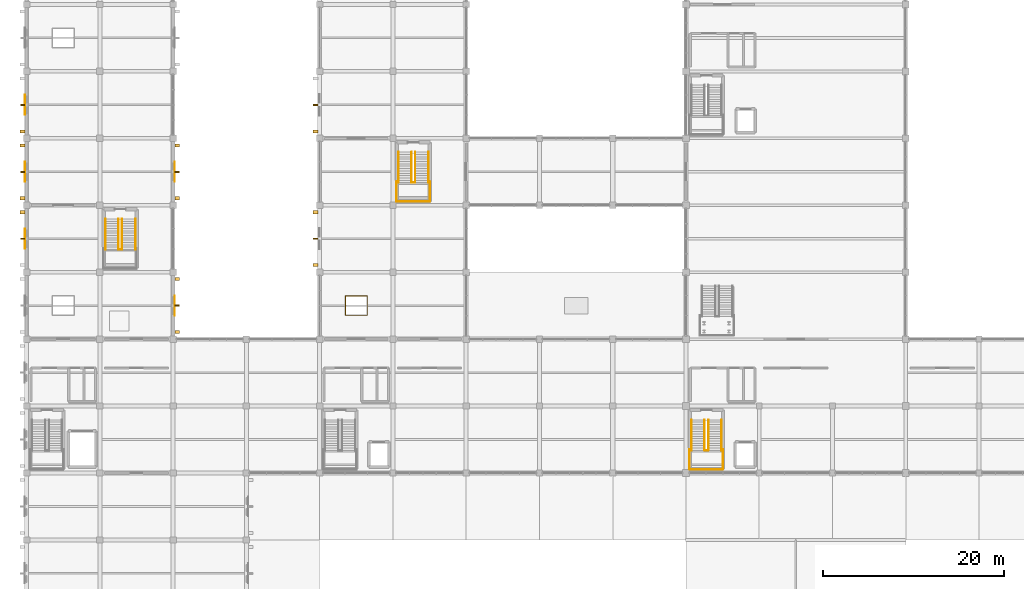
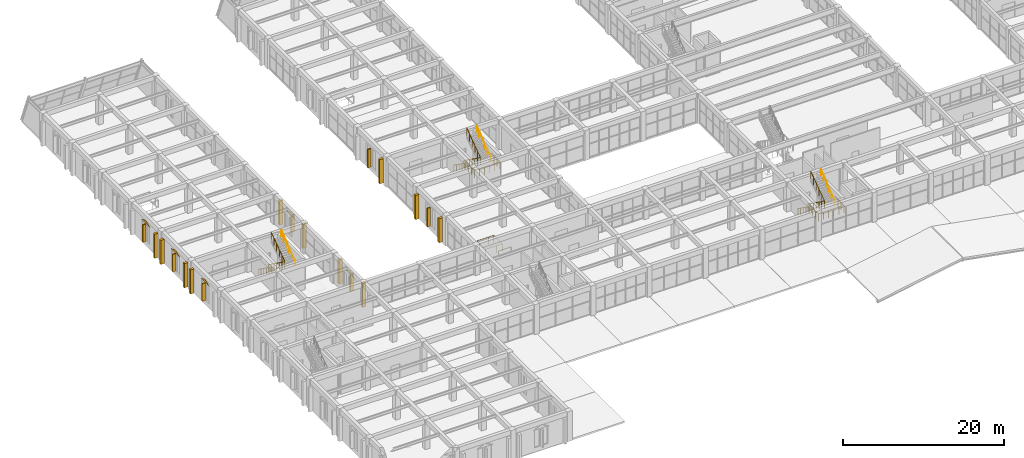
# One storey, part 156 of 161: 18 shading devices, 12 railings, 5 coverings.
"""IFC4 building model written with IfcOpenShell, lengths in metres."""

from ifc_helpers import new_model, si_unit, direction, frame, origin, origin_2d, place, context, subcontext, project, spatial, polyline, rectangle, circle, outline, extrude, material, layer, layer_set, type_object, element, save


model = new_model("IFC4")

# Units and contexts
model_context = context("Model", 3, precision=1e-05, world=origin(), true_north=direction((0.0, 1.0)))
body_context = subcontext(model_context, "Body", "Model", "MODEL_VIEW")
ifc_project = project(units=[si_unit("LENGTHUNIT", "METRE"), si_unit("AREAUNIT", "SQUARE_METRE"), si_unit("VOLUMEUNIT", "CUBIC_METRE"), si_unit("PLANEANGLEUNIT", "RADIAN"), si_unit("MASSUNIT", "GRAM", prefix="KILO")], contexts=[model_context])

# Site, building, storey
site_placement = place(None, origin())
site = spatial("IfcSite", under=ifc_project, at=site_placement, CompositionType="ELEMENT")
building_placement = place(site_placement, origin())
building = spatial("IfcBuilding", under=site, at=building_placement, Name="Cimatlan Art Gallery", CompositionType="ELEMENT")
storey_placement = place(building_placement, frame((0.0, 0.0, 5.39990234375)))
storey = spatial("IfcBuildingStorey", under=building, at=storey_placement, Name="L01", CompositionType="ELEMENT", Elevation=5.39990234375)

# Coverings
ifc_material_1 = material(Name="Queretaro cantera limestone ashlar hood-mould", Category="masonry")
ifc_layer = layer(ifc_material_1, 0.0419921875)
ifc_layer_set = layer_set([ifc_layer], Name="Queretaro cantera limestone ashlar hood-mould")
covering_type = type_object("IfcCoveringType", Name="COV-CLAD-CANTERA-42", PredefinedType="CLADDING", material=ifc_layer_set)
covering_1_placement = place(storey_placement, frame((1.839599609375, 48.699951171875, 3.330078125), z_axis=(1.0, 0.0, 0.0), x_axis=(0.0, 1.0, 0.0)))
element("IfcCovering", 1, at=covering_1_placement, inside=storey, type_object=covering_type, Name="CLD-022", PredefinedType="CLADDING", context=body_context, shape_type="SweptSolid", body=[
    extrude(outline(polyline([(0.0, 0.0), (2.199951171875, 0.0), (1.10009765625, 0.52001953125), (0.0, 0.0)])), origin(), (0.0, 0.0, -1.0), 0.0419921875),
])
covering_2_placement = place(storey_placement, frame((1.839599609375, 56.10009765625, 3.330078125), z_axis=(1.0, 0.0, 0.0), x_axis=(0.0, 1.0, 0.0)))
element("IfcCovering", 2, at=covering_2_placement, inside=storey, type_object=covering_type, Name="CLD-023", PredefinedType="CLADDING", context=body_context, shape_type="SweptSolid", body=[
    extrude(outline(polyline([(0.0, 0.0), (2.199951171875, 0.0), (1.099853515625, 0.52001953125), (0.0, 0.0)])), origin(), (0.0, 0.0, -1.0), 0.0419921875),
])
for number, where, z_axis, x_axis, name in (
    (3, (1.839599609375, 63.5, 3.330078125), (1.0, 0.0, 0.0), (0.0, 1.0, 0.0), "CLD-024"),
    (4, (18.360595703125, 43.5, 3.330078125), (-1.0, 0.0, 0.0), (0.0, -1.0, 0.0), "CLD-029"),
    (5, (18.360595703125, 58.300048828125, 3.330078125), (-1.0, 0.0, 0.0), (0.0, -1.0, 0.0), "CLD-030"),
):
    element("IfcCovering", number, at=place(storey_placement, frame(where, z_axis=z_axis, x_axis=x_axis)), inside=storey, type_object=covering_type, Name=name, PredefinedType="CLADDING", context=body_context, shape_type="SweptSolid", body=[
        extrude(outline(polyline([(0.0, 0.0), (2.199951171875, 0.0), (1.10009765625, 0.52001953125), (0.0, 0.0)])), origin(), (0.0, 0.0, -1.0), 0.0419921875),
    ])

# Railings
ifc_material_2 = material(Name="Painted steel and bronze interior balustrade", Category="steel")
railing_type_1 = type_object("IfcRailingType", Name="RL-BAL-INT-1120", PredefinedType="BALUSTRADE", material=ifc_material_2)
railing_1_placement = place(storey_placement, frame((75.31005859375, 26.510009765625, 2.400146484375)))
element("IfcRailing", 6, at=railing_1_placement, inside=storey, type_object=railing_type_1, Name="STR-C3-L01-LGRD", PredefinedType="BALUSTRADE", context=body_context, shape_type="SweptSolid", body=[
    extrude(circle(Radius=0.02392578125, at=origin_2d()), frame((0.0, 0.0, 1.09619140625), z_axis=(0.0, -1.0, 0.0), x_axis=(1.0, 0.0, 0.0)), (0.0, 0.0, 1.0), 2.199951171875),
    extrude(circle(Radius=0.02392578125, at=origin_2d()), frame((0.0, -2.199951171875, 1.09619140625), z_axis=(1.0, 0.0, 0.0), x_axis=(0.0, 1.0, 0.0)), (0.0, 0.0, 1.0), 3.669921875),
    extrude(circle(Radius=0.02392578125, at=origin_2d()), frame((3.669921875, -2.199951171875, 1.09619140625), z_axis=(0.0, 1.0, 0.0), x_axis=(-1.0, 0.0, 0.0)), (0.0, 0.0, 1.0), 2.199951171875),
    extrude(circle(Radius=0.02001953125, at=origin_2d()), origin(), (0.0, 0.0, 1.0), 1.072021484375),
    extrude(circle(Radius=0.02001953125, at=origin_2d()), frame((0.0, -0.7333984375, 0.0)), (0.0, 0.0, 1.0), 1.072021484375),
    extrude(circle(Radius=0.02001953125, at=origin_2d()), frame((0.0, -1.466552734375, 0.0)), (0.0, 0.0, 1.0), 1.072021484375),
    extrude(circle(Radius=0.02001953125, at=origin_2d()), frame((0.0, -2.199951171875, 0.0)), (0.0, 0.0, 1.0), 1.072021484375),
    extrude(circle(Radius=0.02001953125, at=origin_2d()), frame((0.73388671875, -2.199951171875, 0.0)), (0.0, 0.0, 1.0), 1.072021484375),
    extrude(circle(Radius=0.02001953125, at=origin_2d()), frame((1.468017578125, -2.199951171875, 0.0)), (0.0, 0.0, 1.0), 1.072021484375),
    extrude(circle(Radius=0.02001953125, at=origin_2d()), frame((2.201904296875, -2.199951171875, 0.0)), (0.0, 0.0, 1.0), 1.072021484375),
    extrude(circle(Radius=0.02001953125, at=origin_2d()), frame((2.93603515625, -2.199951171875, 0.0)), (0.0, 0.0, 1.0), 1.072021484375),
    extrude(circle(Radius=0.02001953125, at=origin_2d()), frame((3.669921875, -2.199951171875, 0.0)), (0.0, 0.0, 1.0), 1.072021484375),
    extrude(circle(Radius=0.02001953125, at=origin_2d()), frame((3.669921875, -1.466552734375, 0.0)), (0.0, 0.0, 1.0), 1.072021484375),
    extrude(circle(Radius=0.02001953125, at=origin_2d()), frame((3.669921875, -0.7333984375, 0.0)), (0.0, 0.0, 1.0), 1.072021484375),
    extrude(circle(Radius=0.02001953125, at=origin_2d()), frame((3.669921875, 0.0, 0.0)), (0.0, 0.0, 1.0), 1.072021484375),
])
railing_2_placement = place(storey_placement, frame((76.969970703125, 29.780029296875, 0.0)))
element("IfcRailing", 7, at=railing_2_placement, inside=storey, type_object=railing_type_1, Name="STR-C3-L01-GRD", PredefinedType="BALUSTRADE", context=body_context, shape_type="SweptSolid", body=[
    extrude(circle(Radius=0.02392578125, at=origin_2d()), frame((0.0, 0.0, 1.09619140625), z_axis=(0.0, -0.815353794257, 0.578963030072), x_axis=(1.0, 0.0, 0.0)), (0.0, 0.0, 1.0), 4.1455078125),
    extrude(circle(Radius=0.02392578125, at=origin_2d()), frame((0.0, -3.380126953125, 3.49609375), z_axis=(1.0, 0.0, 0.0), x_axis=(0.0, 1.0, 0.0)), (0.0, 0.0, 1.0), 0.400146484375),
    extrude(circle(Radius=0.02392578125, at=origin_2d()), frame((0.400146484375, -3.380126953125, 3.49609375), z_axis=(0.0, 0.815381594603, 0.578923876847), x_axis=(-1.0, 0.0, 0.0)), (0.0, 0.0, 1.0), 4.1455078125),
    extrude(circle(Radius=0.02001953125, at=origin_2d()), origin(), (0.0, 0.0, 1.0), 1.072021484375),
    extrude(circle(Radius=0.02001953125, at=origin_2d()), frame((0.0, -0.676025390625, 0.47998046875)), (0.0, 0.0, 1.0), 1.072021484375),
    extrude(circle(Radius=0.02001953125, at=origin_2d()), frame((0.0, -1.35205078125, 0.9599609375)), (0.0, 0.0, 1.0), 1.072021484375),
    extrude(circle(Radius=0.02001953125, at=origin_2d()), frame((0.0, -2.028076171875, 1.440185546875)), (0.0, 0.0, 1.0), 1.072021484375),
    extrude(circle(Radius=0.02001953125, at=origin_2d()), frame((0.0, -2.7041015625, 1.920166015625)), (0.0, 0.0, 1.0), 1.072021484375),
    extrude(circle(Radius=0.02001953125, at=origin_2d()), frame((0.0, -3.380126953125, 2.400146484375)), (0.0, 0.0, 1.0), 1.072021484375),
    extrude(circle(Radius=0.02001953125, at=origin_2d()), frame((0.400146484375, -3.380126953125, 2.400146484375)), (0.0, 0.0, 1.0), 1.072021484375),
    extrude(circle(Radius=0.02001953125, at=origin_2d()), frame((0.400146484375, -2.7041015625, 2.880126953125)), (0.0, 0.0, 1.0), 1.072021484375),
    extrude(circle(Radius=0.02001953125, at=origin_2d()), frame((0.400146484375, -2.028076171875, 3.360107421875)), (0.0, 0.0, 1.0), 1.072021484375),
    extrude(circle(Radius=0.02001953125, at=origin_2d()), frame((0.400146484375, -1.35205078125, 3.840087890625)), (0.0, 0.0, 1.0), 1.072021484375),
    extrude(circle(Radius=0.02001953125, at=origin_2d()), frame((0.400146484375, -0.676025390625, 4.320068359375)), (0.0, 0.0, 1.0), 1.072021484375),
    extrude(circle(Radius=0.02001953125, at=origin_2d()), frame((0.400146484375, 0.0, 4.800048828125)), (0.0, 0.0, 1.0), 1.072021484375),
])
railing_3_placement = place(storey_placement, frame((12.169921875, 51.97998046875, 0.0)))
element("IfcRailing", 8, at=railing_3_placement, inside=storey, type_object=railing_type_1, Name="STR-C7-L01-GRD", PredefinedType="BALUSTRADE", context=body_context, shape_type="SweptSolid", body=[
    extrude(circle(Radius=0.02392578125, at=origin_2d()), frame((0.0, 0.0, 1.09619140625), z_axis=(0.0, -0.815334052488, 0.578990831408), x_axis=(1.0, 0.0, 0.0)), (0.0, 0.0, 1.0), 4.1455078125),
    extrude(circle(Radius=0.02392578125, at=origin_2d()), frame((0.0, -3.3798828125, 3.49609375), z_axis=(1.0, 0.0, 0.0), x_axis=(0.0, 1.0, 0.0)), (0.0, 0.0, 1.0), 0.400146484375),
    extrude(circle(Radius=0.02392578125, at=origin_2d()), frame((0.400146484375, -3.3798828125, 3.49609375), z_axis=(0.0, 0.81536185483, 0.578951678198), x_axis=(-1.0, 0.0, 0.0)), (0.0, 0.0, 1.0), 4.145263671875),
    extrude(circle(Radius=0.02001953125, at=origin_2d()), origin(), (0.0, 0.0, 1.0), 1.072021484375),
    extrude(circle(Radius=0.02001953125, at=origin_2d()), frame((0.0, -0.676025390625, 0.47998046875)), (0.0, 0.0, 1.0), 1.072021484375),
    extrude(circle(Radius=0.02001953125, at=origin_2d()), frame((0.0, -1.35205078125, 0.9599609375)), (0.0, 0.0, 1.0), 1.072021484375),
    extrude(circle(Radius=0.02001953125, at=origin_2d()), frame((0.0, -2.02783203125, 1.440185546875)), (0.0, 0.0, 1.0), 1.072021484375),
    extrude(circle(Radius=0.02001953125, at=origin_2d()), frame((0.0, -2.703857421875, 1.920166015625)), (0.0, 0.0, 1.0), 1.072021484375),
    extrude(circle(Radius=0.02001953125, at=origin_2d()), frame((0.0, -3.3798828125, 2.400146484375)), (0.0, 0.0, 1.0), 1.072021484375),
    extrude(circle(Radius=0.02001953125, at=origin_2d()), frame((0.400146484375, -3.3798828125, 2.400146484375)), (0.0, 0.0, 1.0), 1.072021484375),
    extrude(circle(Radius=0.02001953125, at=origin_2d()), frame((0.400146484375, -2.703857421875, 2.880126953125)), (0.0, 0.0, 1.0), 1.072021484375),
    extrude(circle(Radius=0.02001953125, at=origin_2d()), frame((0.400146484375, -2.02783203125, 3.360107421875)), (0.0, 0.0, 1.0), 1.072021484375),
    extrude(circle(Radius=0.02001953125, at=origin_2d()), frame((0.400146484375, -1.35205078125, 3.840087890625)), (0.0, 0.0, 1.0), 1.072021484375),
    extrude(circle(Radius=0.02001953125, at=origin_2d()), frame((0.400146484375, -0.676025390625, 4.320068359375)), (0.0, 0.0, 1.0), 1.072021484375),
    extrude(circle(Radius=0.02001953125, at=origin_2d()), frame((0.400146484375, 0.0, 4.800048828125)), (0.0, 0.0, 1.0), 1.072021484375),
])
railing_4_placement = place(storey_placement, frame((42.909912109375, 56.110107421875, 2.400146484375)))
element("IfcRailing", 9, at=railing_4_placement, inside=storey, type_object=railing_type_1, Name="STR-C8-L01-LGRD", PredefinedType="BALUSTRADE", context=body_context, shape_type="SweptSolid", body=[
    extrude(circle(Radius=0.02392578125, at=origin_2d()), frame((0.0, 0.0, 1.09619140625), z_axis=(0.0, -1.0, 0.0), x_axis=(1.0, 0.0, 0.0)), (0.0, 0.0, 1.0), 2.2001953125),
    extrude(circle(Radius=0.02392578125, at=origin_2d()), frame((0.0, -2.2001953125, 1.09619140625), z_axis=(1.0, 0.0, 0.0), x_axis=(0.0, 1.0, 0.0)), (0.0, 0.0, 1.0), 3.670166015625),
    extrude(circle(Radius=0.02392578125, at=origin_2d()), frame((3.670166015625, -2.2001953125, 1.09619140625), z_axis=(0.0, 1.0, 0.0), x_axis=(-1.0, 0.0, 0.0)), (0.0, 0.0, 1.0), 2.2001953125),
    extrude(circle(Radius=0.02001953125, at=origin_2d()), origin(), (0.0, 0.0, 1.0), 1.072021484375),
    extrude(circle(Radius=0.02001953125, at=origin_2d()), frame((0.0, -0.7333984375, 0.0)), (0.0, 0.0, 1.0), 1.072021484375),
    extrude(circle(Radius=0.02001953125, at=origin_2d()), frame((0.0, -1.466796875, 0.0)), (0.0, 0.0, 1.0), 1.072021484375),
    extrude(circle(Radius=0.02001953125, at=origin_2d()), frame((0.0, -2.2001953125, 0.0)), (0.0, 0.0, 1.0), 1.072021484375),
    extrude(circle(Radius=0.02001953125, at=origin_2d()), frame((0.734130859375, -2.2001953125, 0.0)), (0.0, 0.0, 1.0), 1.072021484375),
    extrude(circle(Radius=0.02001953125, at=origin_2d()), frame((1.468017578125, -2.2001953125, 0.0)), (0.0, 0.0, 1.0), 1.072021484375),
    extrude(circle(Radius=0.02001953125, at=origin_2d()), frame((2.2021484375, -2.2001953125, 0.0)), (0.0, 0.0, 1.0), 1.072021484375),
    extrude(circle(Radius=0.02001953125, at=origin_2d()), frame((2.93603515625, -2.2001953125, 0.0)), (0.0, 0.0, 1.0), 1.072021484375),
    extrude(circle(Radius=0.02001953125, at=origin_2d()), frame((3.670166015625, -2.2001953125, 0.0)), (0.0, 0.0, 1.0), 1.072021484375),
    extrude(circle(Radius=0.02001953125, at=origin_2d()), frame((3.670166015625, -1.466796875, 0.0)), (0.0, 0.0, 1.0), 1.072021484375),
    extrude(circle(Radius=0.02001953125, at=origin_2d()), frame((3.670166015625, -0.7333984375, 0.0)), (0.0, 0.0, 1.0), 1.072021484375),
    extrude(circle(Radius=0.02001953125, at=origin_2d()), frame((3.670166015625, 0.0, 0.0)), (0.0, 0.0, 1.0), 1.072021484375),
])
railing_5_placement = place(storey_placement, frame((44.570068359375, 59.3798828125, 0.0)))
element("IfcRailing", 10, at=railing_5_placement, inside=storey, type_object=railing_type_1, Name="STR-C8-L01-GRD", PredefinedType="BALUSTRADE", context=body_context, shape_type="SweptSolid", body=[
    extrude(circle(Radius=0.02392578125, at=origin_2d()), frame((0.0, 0.0, 1.09619140625), z_axis=(0.0, -0.815334052488, 0.578990831408), x_axis=(1.0, 0.0, 0.0)), (0.0, 0.0, 1.0), 4.1455078125),
    extrude(circle(Radius=0.02392578125, at=origin_2d()), frame((0.0, -3.3798828125, 3.49609375), z_axis=(1.0, 0.0, 0.0), x_axis=(0.0, 1.0, 0.0)), (0.0, 0.0, 1.0), 0.39990234375),
    extrude(circle(Radius=0.02392578125, at=origin_2d()), frame((0.39990234375, -3.3798828125, 3.49609375), z_axis=(0.0, 0.81536185483, 0.578951678198), x_axis=(-1.0, 0.0, 0.0)), (0.0, 0.0, 1.0), 4.145263671875),
    extrude(circle(Radius=0.02001953125, at=origin_2d()), origin(), (0.0, 0.0, 1.0), 1.072021484375),
    extrude(circle(Radius=0.02001953125, at=origin_2d()), frame((0.0, -0.676025390625, 0.47998046875)), (0.0, 0.0, 1.0), 1.072021484375),
    extrude(circle(Radius=0.02001953125, at=origin_2d()), frame((0.0, -1.35205078125, 0.9599609375)), (0.0, 0.0, 1.0), 1.072021484375),
    extrude(circle(Radius=0.02001953125, at=origin_2d()), frame((0.0, -2.02783203125, 1.440185546875)), (0.0, 0.0, 1.0), 1.072021484375),
    extrude(circle(Radius=0.02001953125, at=origin_2d()), frame((0.0, -2.703857421875, 1.920166015625)), (0.0, 0.0, 1.0), 1.072021484375),
    extrude(circle(Radius=0.02001953125, at=origin_2d()), frame((0.0, -3.3798828125, 2.400146484375)), (0.0, 0.0, 1.0), 1.072021484375),
    extrude(circle(Radius=0.02001953125, at=origin_2d()), frame((0.39990234375, -3.3798828125, 2.400146484375)), (0.0, 0.0, 1.0), 1.072021484375),
    extrude(circle(Radius=0.02001953125, at=origin_2d()), frame((0.39990234375, -2.703857421875, 2.880126953125)), (0.0, 0.0, 1.0), 1.072021484375),
    extrude(circle(Radius=0.02001953125, at=origin_2d()), frame((0.39990234375, -2.02783203125, 3.360107421875)), (0.0, 0.0, 1.0), 1.072021484375),
    extrude(circle(Radius=0.02001953125, at=origin_2d()), frame((0.39990234375, -1.35205078125, 3.840087890625)), (0.0, 0.0, 1.0), 1.072021484375),
    extrude(circle(Radius=0.02001953125, at=origin_2d()), frame((0.39990234375, -0.676025390625, 4.320068359375)), (0.0, 0.0, 1.0), 1.072021484375),
    extrude(circle(Radius=0.02001953125, at=origin_2d()), frame((0.39990234375, 0.0, 4.800048828125)), (0.0, 0.0, 1.0), 1.072021484375),
])
railing_6_placement = place(storey_placement, frame((37.239990234375, 41.340087890625, 0.0)))
element("IfcRailing", 11, at=railing_6_placement, inside=storey, type_object=railing_type_1, Name="GR-OCU-L01-B2S", PredefinedType="BALUSTRADE", context=body_context, shape_type="SweptSolid", body=[
    extrude(circle(Radius=0.02392578125, at=origin_2d()), frame((0.0, 0.0, 1.09619140625), z_axis=(1.0, 0.0, 0.0), x_axis=(0.0, 1.0, 0.0)), (0.0, 0.0, 1.0), 2.419921875),
    extrude(circle(Radius=0.02392578125, at=origin_2d()), frame((2.419921875, 0.0, 1.09619140625), z_axis=(0.0, 1.0, 0.0), x_axis=(-1.0, 0.0, 0.0)), (0.0, 0.0, 1.0), 2.119873046875),
    extrude(circle(Radius=0.02392578125, at=origin_2d()), frame((2.419921875, 2.119873046875, 1.09619140625), z_axis=(-1.0, 0.0, 0.0), x_axis=(0.0, -1.0, 0.0)), (0.0, 0.0, 1.0), 2.419921875),
    extrude(circle(Radius=0.02392578125, at=origin_2d()), frame((0.0, 2.119873046875, 1.09619140625), z_axis=(0.0, -1.0, 0.0), x_axis=(1.0, 0.0, 0.0)), (0.0, 0.0, 1.0), 2.080078125),
    extrude(circle(Radius=0.02001953125, at=origin_2d()), origin(), (0.0, 0.0, 1.0), 1.072021484375),
    extrude(circle(Radius=0.02001953125, at=origin_2d()), frame((0.806640625, 0.0, 0.0)), (0.0, 0.0, 1.0), 1.072021484375),
    extrude(circle(Radius=0.02001953125, at=origin_2d()), frame((1.61328125, 0.0, 0.0)), (0.0, 0.0, 1.0), 1.072021484375),
    extrude(circle(Radius=0.02001953125, at=origin_2d()), frame((2.419921875, 0.0, 0.0)), (0.0, 0.0, 1.0), 1.072021484375),
    extrude(circle(Radius=0.02001953125, at=origin_2d()), frame((2.419921875, 0.70654296875, 0.0)), (0.0, 0.0, 1.0), 1.072021484375),
    extrude(circle(Radius=0.02001953125, at=origin_2d()), frame((2.419921875, 1.413330078125, 0.0)), (0.0, 0.0, 1.0), 1.072021484375),
    extrude(circle(Radius=0.02001953125, at=origin_2d()), frame((2.419921875, 2.119873046875, 0.0)), (0.0, 0.0, 1.0), 1.072021484375),
    extrude(circle(Radius=0.02001953125, at=origin_2d()), frame((1.61328125, 2.119873046875, 0.0)), (0.0, 0.0, 1.0), 1.072021484375),
    extrude(circle(Radius=0.02001953125, at=origin_2d()), frame((0.806640625, 2.119873046875, 0.0)), (0.0, 0.0, 1.0), 1.072021484375),
    extrude(circle(Radius=0.02001953125, at=origin_2d()), frame((0.0, 2.119873046875, 0.0)), (0.0, 0.0, 1.0), 1.072021484375),
    extrude(circle(Radius=0.02001953125, at=origin_2d()), frame((0.0, 1.426513671875, 0.0)), (0.0, 0.0, 1.0), 1.072021484375),
    extrude(circle(Radius=0.02001953125, at=origin_2d()), frame((0.0, 0.733154296875, 0.0)), (0.0, 0.0, 1.0), 1.072021484375),
    extrude(circle(Radius=0.02001953125, at=origin_2d()), frame((0.0, 0.039794921875, 0.0)), (0.0, 0.0, 1.0), 1.072021484375),
])
ifc_material_3 = material(Name="Brushed bronze stair handrail")
railing_type_2 = type_object("IfcRailingType", Name="RL-HND-INT-920", PredefinedType="HANDRAIL", material=ifc_material_3)
railing_7_placement = place(storey_placement, frame((75.510009765625, 29.780029296875, 0.0)))
element("IfcRailing", 12, at=railing_7_placement, inside=storey, type_object=railing_type_2, Name="STR-C3-L01-HR1", PredefinedType="HANDRAIL", context=body_context, shape_type="SweptSolid", body=[
    extrude(circle(Radius=0.02197265625, at=origin_2d()), frame((0.0, 0.0, 0.89794921875), z_axis=(0.0, -0.815353794257, 0.578963030072), x_axis=(1.0, 0.0, 0.0)), (0.0, 0.0, 1.0), 4.1455078125),
    extrude(circle(Radius=0.01904296875, at=origin_2d()), origin(), (0.0, 0.0, 1.0), 0.8759765625),
    extrude(circle(Radius=0.01904296875, at=origin_2d()), frame((0.0, -0.676025390625, 0.47998046875)), (0.0, 0.0, 1.0), 0.8759765625),
    extrude(circle(Radius=0.01904296875, at=origin_2d()), frame((0.0, -1.35205078125, 0.9599609375)), (0.0, 0.0, 1.0), 0.8759765625),
    extrude(circle(Radius=0.01904296875, at=origin_2d()), frame((0.0, -2.028076171875, 1.440185546875)), (0.0, 0.0, 1.0), 0.8759765625),
    extrude(circle(Radius=0.01904296875, at=origin_2d()), frame((0.0, -2.7041015625, 1.920166015625)), (0.0, 0.0, 1.0), 0.8759765625),
    extrude(circle(Radius=0.01904296875, at=origin_2d()), frame((0.0, -3.380126953125, 2.400146484375)), (0.0, 0.0, 1.0), 0.8759765625),
])
railing_8_placement = place(storey_placement, frame((78.830078125, 26.39990234375, 2.400146484375)))
element("IfcRailing", 13, at=railing_8_placement, inside=storey, type_object=railing_type_2, Name="STR-C3-L01-HR2", PredefinedType="HANDRAIL", context=body_context, shape_type="SweptSolid", body=[
    extrude(circle(Radius=0.02197265625, at=origin_2d()), frame((0.0, 0.0, 0.89794921875), z_axis=(0.0, 0.815381594603, 0.578923876847), x_axis=(-1.0, 0.0, 0.0)), (0.0, 0.0, 1.0), 4.1455078125),
    extrude(circle(Radius=0.01904296875, at=origin_2d()), origin(), (0.0, 0.0, 1.0), 0.8759765625),
    extrude(circle(Radius=0.01904296875, at=origin_2d()), frame((0.0, 0.676025390625, 0.47998046875)), (0.0, 0.0, 1.0), 0.8759765625),
    extrude(circle(Radius=0.01904296875, at=origin_2d()), frame((0.0, 1.35205078125, 0.9599609375)), (0.0, 0.0, 1.0), 0.8759765625),
    extrude(circle(Radius=0.01904296875, at=origin_2d()), frame((0.0, 2.028076171875, 1.43994140625)), (0.0, 0.0, 1.0), 0.8759765625),
    extrude(circle(Radius=0.01904296875, at=origin_2d()), frame((0.0, 2.7041015625, 1.919921875)), (0.0, 0.0, 1.0), 0.8759765625),
    extrude(circle(Radius=0.01904296875, at=origin_2d()), frame((0.0, 3.380126953125, 2.39990234375)), (0.0, 0.0, 1.0), 0.8759765625),
])
railing_9_placement = place(storey_placement, frame((10.7099609375, 51.97998046875, 0.0)))
element("IfcRailing", 14, at=railing_9_placement, inside=storey, type_object=railing_type_2, Name="STR-C7-L01-HR1", PredefinedType="HANDRAIL", context=body_context, shape_type="SweptSolid", body=[
    extrude(circle(Radius=0.02197265625, at=origin_2d()), frame((0.0, 0.0, 0.89794921875), z_axis=(0.0, -0.815334052488, 0.578990831408), x_axis=(1.0, 0.0, 0.0)), (0.0, 0.0, 1.0), 4.1455078125),
    extrude(circle(Radius=0.01904296875, at=origin_2d()), origin(), (0.0, 0.0, 1.0), 0.8759765625),
    extrude(circle(Radius=0.01904296875, at=origin_2d()), frame((0.0, -0.676025390625, 0.47998046875)), (0.0, 0.0, 1.0), 0.8759765625),
    extrude(circle(Radius=0.01904296875, at=origin_2d()), frame((0.0, -1.35205078125, 0.9599609375)), (0.0, 0.0, 1.0), 0.8759765625),
    extrude(circle(Radius=0.01904296875, at=origin_2d()), frame((0.0, -2.02783203125, 1.440185546875)), (0.0, 0.0, 1.0), 0.8759765625),
    extrude(circle(Radius=0.01904296875, at=origin_2d()), frame((0.0, -2.703857421875, 1.920166015625)), (0.0, 0.0, 1.0), 0.8759765625),
    extrude(circle(Radius=0.01904296875, at=origin_2d()), frame((0.0, -3.3798828125, 2.400146484375)), (0.0, 0.0, 1.0), 0.8759765625),
])
railing_10_placement = place(storey_placement, frame((14.030029296875, 48.60009765625, 2.400146484375)))
element("IfcRailing", 15, at=railing_10_placement, inside=storey, type_object=railing_type_2, Name="STR-C7-L01-HR2", PredefinedType="HANDRAIL", context=body_context, shape_type="SweptSolid", body=[
    extrude(circle(Radius=0.02197265625, at=origin_2d()), frame((0.0, 0.0, 0.89794921875), z_axis=(0.0, 0.81536185483, 0.578951678198), x_axis=(-1.0, 0.0, 0.0)), (0.0, 0.0, 1.0), 4.145263671875),
    extrude(circle(Radius=0.01904296875, at=origin_2d()), origin(), (0.0, 0.0, 1.0), 0.8759765625),
    extrude(circle(Radius=0.01904296875, at=origin_2d()), frame((0.0, 0.676025390625, 0.47998046875)), (0.0, 0.0, 1.0), 0.8759765625),
    extrude(circle(Radius=0.01904296875, at=origin_2d()), frame((0.0, 1.35205078125, 0.9599609375)), (0.0, 0.0, 1.0), 0.8759765625),
    extrude(circle(Radius=0.01904296875, at=origin_2d()), frame((0.0, 2.02783203125, 1.43994140625)), (0.0, 0.0, 1.0), 0.8759765625),
    extrude(circle(Radius=0.01904296875, at=origin_2d()), frame((0.0, 2.703857421875, 1.919921875)), (0.0, 0.0, 1.0), 0.8759765625),
    extrude(circle(Radius=0.01904296875, at=origin_2d()), frame((0.0, 3.3798828125, 2.39990234375)), (0.0, 0.0, 1.0), 0.8759765625),
])
railing_11_placement = place(storey_placement, frame((43.110107421875, 59.3798828125, 0.0)))
element("IfcRailing", 16, at=railing_11_placement, inside=storey, type_object=railing_type_2, Name="STR-C8-L01-HR1", PredefinedType="HANDRAIL", context=body_context, shape_type="SweptSolid", body=[
    extrude(circle(Radius=0.02197265625, at=origin_2d()), frame((0.0, 0.0, 0.89794921875), z_axis=(0.0, -0.815334052488, 0.578990831408), x_axis=(1.0, 0.0, 0.0)), (0.0, 0.0, 1.0), 4.1455078125),
    extrude(circle(Radius=0.01904296875, at=origin_2d()), origin(), (0.0, 0.0, 1.0), 0.8759765625),
    extrude(circle(Radius=0.01904296875, at=origin_2d()), frame((0.0, -0.676025390625, 0.47998046875)), (0.0, 0.0, 1.0), 0.8759765625),
    extrude(circle(Radius=0.01904296875, at=origin_2d()), frame((0.0, -1.35205078125, 0.9599609375)), (0.0, 0.0, 1.0), 0.8759765625),
    extrude(circle(Radius=0.01904296875, at=origin_2d()), frame((0.0, -2.02783203125, 1.440185546875)), (0.0, 0.0, 1.0), 0.8759765625),
    extrude(circle(Radius=0.01904296875, at=origin_2d()), frame((0.0, -2.703857421875, 1.920166015625)), (0.0, 0.0, 1.0), 0.8759765625),
    extrude(circle(Radius=0.01904296875, at=origin_2d()), frame((0.0, -3.3798828125, 2.400146484375)), (0.0, 0.0, 1.0), 0.8759765625),
])
railing_12_placement = place(storey_placement, frame((46.429931640625, 56.0, 2.400146484375)))
element("IfcRailing", 17, at=railing_12_placement, inside=storey, type_object=railing_type_2, Name="STR-C8-L01-HR2", PredefinedType="HANDRAIL", context=body_context, shape_type="SweptSolid", body=[
    extrude(circle(Radius=0.02197265625, at=origin_2d()), frame((0.0, 0.0, 0.89794921875), z_axis=(0.0, 0.81536185483, 0.578951678198), x_axis=(-1.0, 0.0, 0.0)), (0.0, 0.0, 1.0), 4.145263671875),
    extrude(circle(Radius=0.01904296875, at=origin_2d()), origin(), (0.0, 0.0, 1.0), 0.8759765625),
    extrude(circle(Radius=0.01904296875, at=origin_2d()), frame((0.0, 0.676025390625, 0.47998046875)), (0.0, 0.0, 1.0), 0.8759765625),
    extrude(circle(Radius=0.01904296875, at=origin_2d()), frame((0.0, 1.35205078125, 0.9599609375)), (0.0, 0.0, 1.0), 0.8759765625),
    extrude(circle(Radius=0.01904296875, at=origin_2d()), frame((0.0, 2.02783203125, 1.43994140625)), (0.0, 0.0, 1.0), 0.8759765625),
    extrude(circle(Radius=0.01904296875, at=origin_2d()), frame((0.0, 2.703857421875, 1.919921875)), (0.0, 0.0, 1.0), 0.8759765625),
    extrude(circle(Radius=0.01904296875, at=origin_2d()), frame((0.0, 3.3798828125, 2.39990234375)), (0.0, 0.0, 1.0), 0.8759765625),
])

# Shading devices
ifc_material_4 = material(Name="Queretaro cantera limestone buttress pilaster", Category="masonry")
shading_device_type_1 = type_object("IfcShadingDeviceType", Name="SHD-BUT-520", PredefinedType="USERDEFINED", material=ifc_material_4)
for number, where, z_axis, x_axis, name in (
    (18, (1.5595703125, 52.72607421875, 0.06005859375), (0.0, 0.0, 1.0), (0.0, 1.0, 0.0), "BUT-0136"),
    (19, (1.5595703125, 54.27392578125, 0.06005859375), (0.0, 0.0, 1.0), (0.0, 1.0, 0.0), "BUT-0137"),
    (20, (1.5595703125, 60.1259765625, 0.06005859375), (0.0, 0.0, 1.0), (0.0, 1.0, 0.0), "BUT-0138"),
    (21, (1.5595703125, 61.674072265625, 0.06005859375), (0.0, 0.0, 1.0), (0.0, 1.0, 0.0), "BUT-0139"),
    (22, (18.640380859375, 45.325927734375, 0.06005859375), (0.0, 0.0, 1.0), (0.0, -1.0, 0.0), "BUT-0149"),
    (23, (18.640380859375, 39.47412109375, 0.06005859375), (0.0, 0.0, 1.0), (0.0, -1.0, 0.0), "BUT-0150"),
    (24, (18.640380859375, 60.1259765625, 0.06005859375), (0.0, 0.0, 1.0), (0.0, -1.0, 0.0), "BUT-0151"),
    (25, (18.640380859375, 54.27392578125, 0.06005859375), (0.0, 0.0, 1.0), (0.0, -1.0, 0.0), "BUT-0152"),
    (26, (33.931884765625, 46.8740234375, 0.06005859375), (0.0, 0.0, 1.0), (0.0, 1.0, 0.0), "BUT-0165"),
    (27, (33.931884765625, 52.72607421875, 0.06005859375), (0.0, 0.0, 1.0), (0.0, 1.0, 0.0), "BUT-0166"),
    (28, (33.931884765625, 61.674072265625, 0.06005859375), (0.0, 0.0, 1.0), (0.0, 1.0, 0.0), "BUT-0167"),
):
    element("IfcShadingDevice", number, at=place(storey_placement, frame(where, z_axis=z_axis, x_axis=x_axis)), inside=storey, type_object=shading_device_type_1, Name=name, ObjectType="FIN", PredefinedType="USERDEFINED", context=body_context, shape_type="SweptSolid", body=[
        extrude(rectangle(XDim=0.340087890625, YDim=0.52001953125, at=origin_2d()), origin(), (0.0, 0.0, 1.0), 3.675048828125),
    ])
ifc_material_5 = material(Name="Queretaro cantera limestone lancet mullion fin", Category="masonry")
shading_device_type_2 = type_object("IfcShadingDeviceType", Name="SHD-FIN-480", PredefinedType="USERDEFINED", material=ifc_material_5)
for number, where, z_axis, x_axis, name in (
    (29, (1.57958984375, 49.800048828125, 0.650146484375), (0.0, 0.0, 1.0), (0.0, 1.0, 0.0), "FIN-031"),
    (30, (1.57958984375, 57.199951171875, 0.650146484375), (0.0, 0.0, 1.0), (0.0, 1.0, 0.0), "FIN-032"),
    (31, (1.57958984375, 64.60009765625, 0.650146484375), (0.0, 0.0, 1.0), (0.0, 1.0, 0.0), "FIN-033"),
    (32, (18.62060546875, 42.39990234375, 0.650146484375), (0.0, 0.0, 1.0), (0.0, -1.0, 0.0), "FIN-038"),
    (33, (18.62060546875, 57.199951171875, 0.650146484375), (0.0, 0.0, 1.0), (0.0, -1.0, 0.0), "FIN-039"),
):
    element("IfcShadingDevice", number, at=place(storey_placement, frame(where, z_axis=z_axis, x_axis=x_axis)), inside=storey, type_object=shading_device_type_2, Name=name, ObjectType="FIN", PredefinedType="USERDEFINED", context=body_context, shape_type="SweptSolid", body=[
        extrude(rectangle(XDim=0.159912109375, YDim=0.47998046875, at=origin_2d()), origin(), (0.0, 0.0, 1.0), 2.64990234375),
    ])
for number, where, z_axis, x_axis, name in (
    (34, (33.951904296875, 49.800048828125, 0.64990234375), (0.0, 0.0, 1.0), (0.0, 1.0, 0.0), "FIN-046"),
    (35, (33.951904296875, 64.60009765625, 0.64990234375), (0.0, 0.0, 1.0), (0.0, 1.0, 0.0), "FIN-047"),
):
    element("IfcShadingDevice", number, at=place(storey_placement, frame(where, z_axis=z_axis, x_axis=x_axis)), inside=storey, type_object=shading_device_type_2, Name=name, ObjectType="FIN", PredefinedType="USERDEFINED", context=body_context, shape_type="SweptSolid", body=[
        extrude(rectangle(XDim=0.159912109375, YDim=0.47998046875, at=origin_2d()), origin(), (0.0, 0.0, 1.0), 2.800048828125),
    ])

save(model, "model.ifc")
